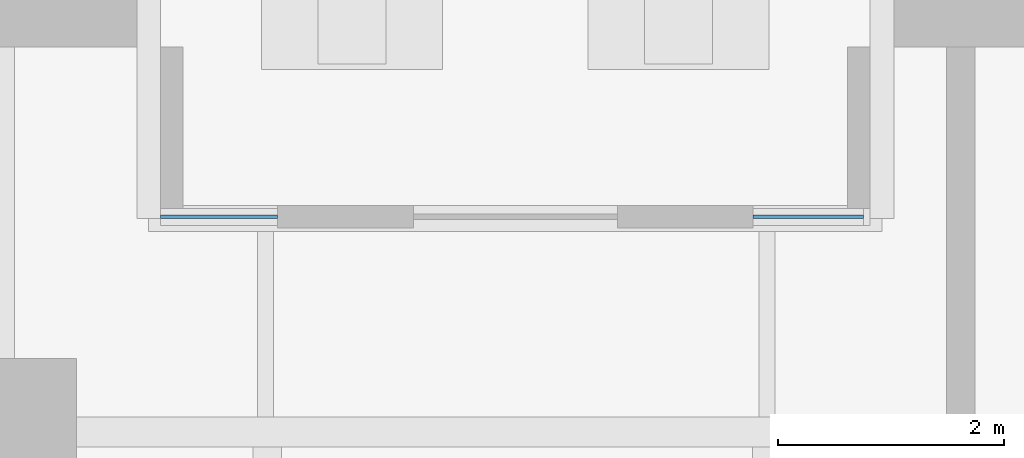
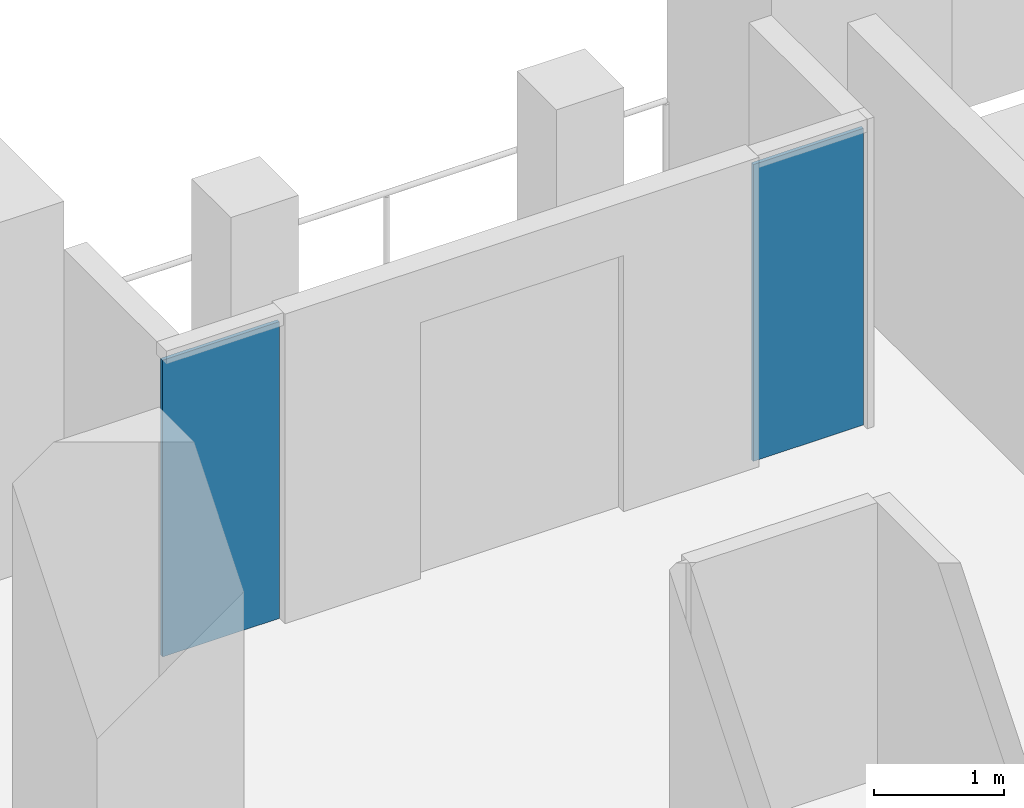
# One storey, part 19 of 31: 2 plates, 1 element without a shape of its own.
"""IFC4 building model written with IfcOpenShell, lengths in metres."""

from ifc_helpers import new_model, si_unit, direction, frame, origin, origin_2d, place, context, subcontext, project, spatial, rectangle, extrude, material, layer, layer_set, type_object, element, aggregate, save


model = new_model("IFC4")

# Units and contexts
model_context = context("Model", 3, precision=1e-05, world=origin(), true_north=direction((0.0, 1.0)))
body_context = subcontext(model_context, "Body", "Model", "MODEL_VIEW")
ifc_project = project(units=[si_unit("LENGTHUNIT", "METRE"), si_unit("AREAUNIT", "SQUARE_METRE"), si_unit("VOLUMEUNIT", "CUBIC_METRE"), si_unit("PLANEANGLEUNIT", "RADIAN"), si_unit("MASSUNIT", "GRAM", prefix="KILO")], contexts=[model_context])

# Site, building, storey
site_placement = place(None, origin())
site = spatial("IfcSite", under=ifc_project, at=site_placement, CompositionType="ELEMENT")
building_placement = place(site_placement, origin())
building = spatial("IfcBuilding", under=site, at=building_placement, Name="Isthmus Gate Tower", CompositionType="ELEMENT")
storey_placement = place(building_placement, frame((0.0, 0.0, 113.5)))
storey = spatial("IfcBuildingStorey", under=building, at=storey_placement, Name="L27", CompositionType="ELEMENT", Elevation=113.5)

# Curtain wall, plates
ifc_material_1 = material(Name="Aluminium, pale champagne anodised", Category="aluminium")
ifc_layer_1 = layer(ifc_material_1, 0.14990234375)
ifc_layer_set_1 = layer_set([ifc_layer_1], Name="CW-6 LOGGIA BACK WALL GLAZING 150 DEEP")
curtain_wall_type = type_object("IfcCurtainWallType", Name="CW-6 LOGGIA BACK WALL GLAZING 150 DEEP", PredefinedType="NOTDEFINED", material=ifc_layer_set_1)
curtain_wall_placement = place(storey_placement, origin())
curtain_wall = element("IfcCurtainWall", 1, at=curtain_wall_placement, inside=storey, type_object=curtain_wall_type, Name="CW-6 N L27", PredefinedType="NOTDEFINED")
ifc_material_2 = material(Name="Laminated low-iron glass, clear", Category="glass")
ifc_layer_2 = layer(ifc_material_2, 0.031982421875)
ifc_layer_set_2 = layer_set([ifc_layer_2], Name="CW-6 CLEAR GLASS LITE 32")
plate_type = type_object("IfcPlateType", Name="CW-6 CLEAR GLASS LITE 32", PredefinedType="CURTAIN_PANEL", material=ifc_layer_set_2)
plate_1_placement = place(storey_placement, frame((-6.384521484375, 28.89990234375, 0.0), z_axis=(0.0, 0.0, 1.0), x_axis=(-1.0, 0.0, 0.0)))
plate_1 = element("IfcPlate", 2, at=plate_1_placement, type_object=plate_type, Name="CW-6 glass lite", PredefinedType="CURTAIN_PANEL", context=body_context, shape_type="SweptSolid", body=[
    extrude(rectangle(XDim=0.974853515625, YDim=0.031982421875, at=origin_2d()), origin(), (0.0, 0.0, 1.0), 2.780029296875),
])
plate_2_placement = place(storey_placement, frame((-11.58935546875, 28.89990234375, 0.0), z_axis=(0.0, 0.0, 1.0), x_axis=(-1.0, 0.0, 0.0)))
plate_2 = element("IfcPlate", 3, at=plate_2_placement, type_object=plate_type, Name="CW-6 glass lite", PredefinedType="CURTAIN_PANEL", context=body_context, shape_type="SweptSolid", body=[
    extrude(rectangle(XDim=1.03466796875, YDim=0.031982421875, at=origin_2d()), origin(), (0.0, 0.0, 1.0), 2.780029296875),
])
aggregate(curtain_wall, [plate_1, plate_2])

save(model, "model.ifc")
